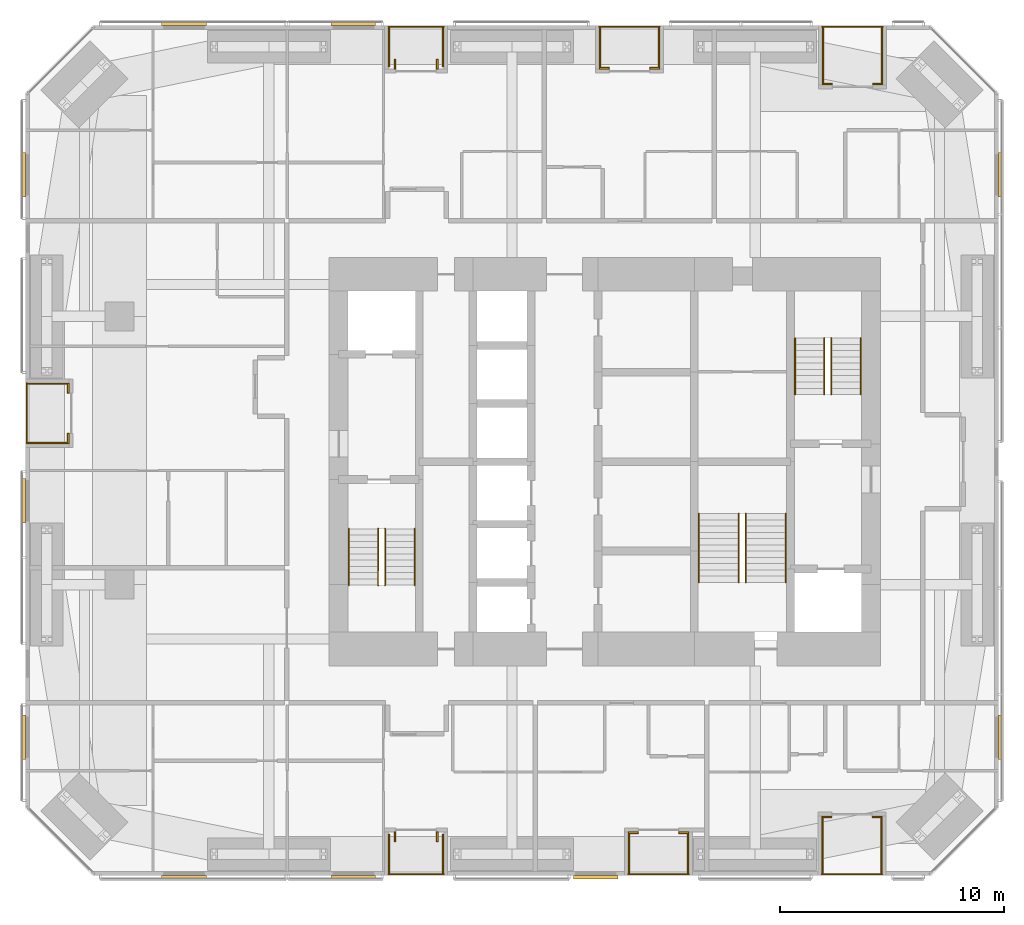
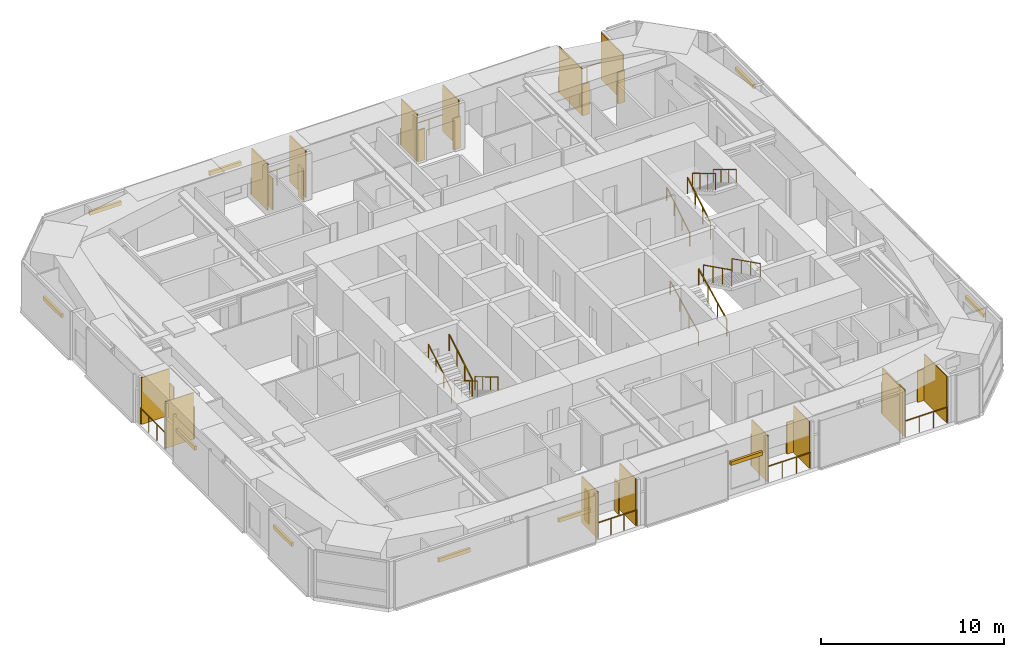
# One storey, part 25 of 25: 38 shading devices, 19 railings.
"""IFC4 building model written with IfcOpenShell, lengths in metres."""

import ifcopenshell
import ifcopenshell.guid

model = None  # the IFC model being written
_history = None  # IfcOwnerHistory: only IFC2X3 demands one
_inside = {}  # id of a spatial element -> (the spatial element, [elements in it])
_under = {}  # id of a project, library or spatial element -> (it, [spatial elements below it])
_declared = {}  # id of a project -> (the project, [libraries it declares])
_typed = {}  # id of a type object -> (the type object, [elements of that type])
_made_of = {}  # id of a material, layer set ... -> (it, [elements and type objects made of it])


def new_model(schema):
    """Start an empty IFC model of exactly this schema.

    Asked for "IFC4X3", IfcOpenShell would pick the latest addendum, in which some entities
    have other attributes; the version numbers below select the first issue.
    IFC2X3 requires an IfcOwnerHistory on every rooted entity: one is made here for all.
    """
    global model, _history
    if schema == "IFC4X3":
        model = ifcopenshell.file(schema_version=(4, 3, 0, 0))
    else:
        model = ifcopenshell.file(schema=schema)
    _inside.clear()
    _under.clear()
    _declared.clear()
    _typed.clear()
    _made_of.clear()
    _history = None
    if model.schema == "IFC2X3":
        org = make("IfcOrganization", Name="unknown")
        user = make(
            "IfcPersonAndOrganization",
            ThePerson=make("IfcPerson", FamilyName="unknown"),
            TheOrganization=org,
        )
        app = make(
            "IfcApplication",
            ApplicationDeveloper=org,
            Version="unknown",
            ApplicationFullName="unknown",
            ApplicationIdentifier="unknown",
        )
        _history = make(
            "IfcOwnerHistory",
            OwningUser=user,
            OwningApplication=app,
            ChangeAction="ADDED",
            CreationDate=0,
        )
    return model


def make(cls, **values):
    """One entity of the class cls with the attributes given. An attribute that is None is left unset."""
    return model.create_entity(
        cls, **{name: value for name, value in values.items() if value is not None}
    )


def rooted(cls, **values):
    """An entity with a GlobalId (a new one), such as an element, a storey or a relation."""
    return make(cls, GlobalId=ifcopenshell.guid.new(), OwnerHistory=_history, **values)


def si_unit(unit_type, name, prefix=None):
    """IfcSIUnit, for example si_unit("LENGTHUNIT", "METRE", prefix="MILLI")."""
    return make("IfcSIUnit", UnitType=unit_type, Prefix=prefix, Name=name)


def assignment(units):
    """IfcUnitAssignment: the units of a project."""
    return None if units is None else make("IfcUnitAssignment", Units=units)


def point(xyz):
    """IfcCartesianPoint."""
    return None if xyz is None else make("IfcCartesianPoint", Coordinates=xyz)


def direction(xyz):
    """IfcDirection."""
    return None if xyz is None else make("IfcDirection", DirectionRatios=xyz)


def frame(location, z_axis=None, x_axis=None):
    """IfcAxis2Placement3D, a coordinate frame: its origin and axes. An axis left out is left unset."""
    return make(
        "IfcAxis2Placement3D",
        Location=point(location),
        Axis=direction(z_axis),
        RefDirection=direction(x_axis),
    )


def frame_2d(location, x_axis=None):
    """IfcAxis2Placement2D, a coordinate frame in the plane: its origin and x axis."""
    return make(
        "IfcAxis2Placement2D", Location=point(location), RefDirection=direction(x_axis)
    )


def origin():
    """The frame at (0, 0, 0) with its axes left unset."""
    return frame((0.0, 0.0, 0.0))


def origin_2d():
    """The frame at (0, 0) in the plane with its x axis left unset."""
    return frame_2d((0.0, 0.0))


def place(relative_to, where):
    """IfcLocalPlacement: puts the frame where relative to a parent placement (None: the world)."""
    return make(
        "IfcLocalPlacement", PlacementRelTo=relative_to, RelativePlacement=where
    )


def context(
    kind, dimensions, precision=None, world=None, true_north=None, identifier=None
):
    """IfcGeometricRepresentationContext, for example the 3D "Model" context."""
    return make(
        "IfcGeometricRepresentationContext",
        ContextIdentifier=identifier,
        ContextType=kind,
        CoordinateSpaceDimension=dimensions,
        Precision=precision,
        WorldCoordinateSystem=world,
        TrueNorth=true_north,
    )


def subcontext(parent, identifier, kind, view, scale=None):
    """IfcGeometricRepresentationSubContext, for example "Body" below "Model"."""
    return make(
        "IfcGeometricRepresentationSubContext",
        ContextIdentifier=identifier,
        ContextType=kind,
        ParentContext=parent,
        TargetScale=scale,
        TargetView=view,
    )


def project(units=None, contexts=None):
    """IfcProject with its units and contexts."""
    return rooted(
        "IfcProject",
        Name="project",
        RepresentationContexts=contexts,
        UnitsInContext=assignment(units),
    )


def spatial(cls, under=None, at=None, **own):
    """A site, building, storey or space (cls), placed at a placement, below another one or the project."""
    s = rooted(cls, ObjectPlacement=at, **own)
    if under is not None:
        _under.setdefault(under.id(), (under, []))[1].append(s)
    return s


def profile(cls, at=None, kind="AREA", **sizes):
    """A parametric profile (cls). Its sizes go by their IFC names, for example OverallWidth=200.0."""
    return make(cls, ProfileType=kind, Position=at, **sizes)


def rectangle(**sizes):
    """IfcRectangleProfileDef."""
    return profile("IfcRectangleProfileDef", **sizes)


def circle(**sizes):
    """IfcCircleProfileDef."""
    return profile("IfcCircleProfileDef", **sizes)


def extrude(swept, where, along, depth):
    """IfcExtrudedAreaSolid: the profile swept, set in the frame where, extruded along a direction by depth."""
    return make(
        "IfcExtrudedAreaSolid",
        SweptArea=swept,
        Position=where,
        ExtrudedDirection=direction(along),
        Depth=depth,
    )


def shape(context_of_items, identifier, shape_type, items):
    """IfcShapeRepresentation: the items that make up one representation, for example the "Body"."""
    return make(
        "IfcShapeRepresentation",
        ContextOfItems=context_of_items,
        RepresentationIdentifier=identifier,
        RepresentationType=shape_type,
        Items=items,
    )


def material(Name=None, Category=None):
    """IfcMaterial."""
    return make("IfcMaterial", Name=Name, Category=Category)


def layer(
    of_material, thickness, ventilated=None, Name=None, Category=None, Priority=None
):
    """IfcMaterialLayer: one layer of a wall or slab, of a material (None: an air gap)."""
    return make(
        "IfcMaterialLayer",
        Material=of_material,
        LayerThickness=thickness,
        IsVentilated=ventilated,
        Name=Name,
        Category=Category,
        Priority=Priority,
    )


def layer_set(layers, Name=None):
    """IfcMaterialLayerSet."""
    return make("IfcMaterialLayerSet", MaterialLayers=layers, LayerSetName=Name)


def constituent(of_material, Name=None, Category=None, fraction=None):
    """IfcMaterialConstituent: one of the materials an element consists of."""
    return make(
        "IfcMaterialConstituent",
        Name=Name,
        Material=of_material,
        Fraction=fraction,
        Category=Category,
    )


def constituent_set(constituents=None, Name=None):
    """IfcMaterialConstituentSet."""
    return make(
        "IfcMaterialConstituentSet", Name=Name, MaterialConstituents=constituents
    )


def made_of(thing, what):
    """Note that an element or type object is made of a material, layer set ...; save() writes the relation."""
    if what is not None:
        _made_of.setdefault(what.id(), (what, []))[1].append(thing)
    return thing


def type_object(cls, material=None, **own):
    """A type object (cls), such as IfcWallType, which elements share."""
    return made_of(rooted(cls, **own), material)


def element(
    cls,
    number,
    at=None,
    inside=None,
    cuts=None,
    type_object=None,
    material=None,
    context=None,
    identifier="Body",
    shape_type=None,
    held_by="IfcProductDefinitionShape",
    body=None,
    shapes=None,
    **own,
):
    """One element of the class cls, such as IfcWall. Its Tag is "e" and its number.

    at: its placement. inside: the storey or other place that contains it. cuts: it is an
    opening in that element (IfcRelVoidsElement). A single representation is given by context,
    identifier, shape_type and body (its items); several are given by shapes. held_by: the class
    of the entity that holds the representations. save() writes the other relations.
    """
    e = rooted(cls, Tag="e%d" % number, ObjectPlacement=at, **own)
    if body is not None:
        shapes = [shape(context, identifier, shape_type, body)]
    if shapes is not None:
        e.Representation = make(held_by, Representations=shapes)
    if inside is not None:
        _inside.setdefault(inside.id(), (inside, []))[1].append(e)
    if cuts is not None:
        rooted(
            "IfcRelVoidsElement", RelatingBuildingElement=cuts, RelatedOpeningElement=e
        )
    if type_object is not None:
        _typed.setdefault(type_object.id(), (type_object, []))[1].append(e)
    return made_of(e, material)


def aggregate(whole, parts):
    """IfcRelAggregates: a whole, such as a stair, and the parts it consists of."""
    return rooted("IfcRelAggregates", RelatingObject=whole, RelatedObjects=parts)


def save(model, path):
    """Write the relations noted so far, then the file.

    IfcRelAggregates (storeys below a building ...), IfcRelContainedInSpatialStructure (elements
    in a storey), IfcRelDefinesByType, IfcRelAssociatesMaterial and IfcRelDeclares: one each for
    every whole, place, type object, material and project.
    """
    for whole, parts in _under.values():
        aggregate(whole, parts)
    for where, things in _inside.values():
        rooted(
            "IfcRelContainedInSpatialStructure",
            RelatedElements=things,
            RelatingStructure=where,
        )
    for kind, things in _typed.values():
        rooted("IfcRelDefinesByType", RelatedObjects=things, RelatingType=kind)
    for what, things in _made_of.values():
        rooted("IfcRelAssociatesMaterial", RelatedObjects=things, RelatingMaterial=what)
    for by, libraries in _declared.values():
        rooted("IfcRelDeclares", RelatingContext=by, RelatedDefinitions=libraries)
    model.write(path)


model = new_model("IFC4")

# Units and contexts
model_context = context("Model", 3, precision=1e-05, world=origin(), true_north=direction((0.0, 1.0)))
body_context = subcontext(model_context, "Body", "Model", "MODEL_VIEW")
ifc_project = project(units=[si_unit("LENGTHUNIT", "METRE"), si_unit("AREAUNIT", "SQUARE_METRE"), si_unit("VOLUMEUNIT", "CUBIC_METRE"), si_unit("PLANEANGLEUNIT", "RADIAN"), si_unit("MASSUNIT", "GRAM", prefix="KILO")], contexts=[model_context])

# Site, building, storey
site_placement = place(None, origin())
site = spatial("IfcSite", under=ifc_project, at=site_placement, CompositionType="ELEMENT")
building_placement = place(site_placement, origin())
building = spatial("IfcBuilding", under=site, at=building_placement, Name="Jalousie Tower", CompositionType="ELEMENT")
storey_placement = place(building_placement, frame((0.0, 0.0, 98.14990234375)))
storey = spatial("IfcBuildingStorey", under=building, at=storey_placement, Name="L26", CompositionType="ELEMENT", Elevation=98.14990234375)

# Shading devices
ifc_material_1 = material(Name="Aluminium impact-rated louvred storm shutter", Category="aluminium")
shading_device_type_1 = type_object("IfcShadingDeviceType", Name="BI-FOLD STORM SHUTTER 900x2100", PredefinedType="SHUTTER", material=ifc_material_1)
for number, where, z_axis, x_axis, name in (
    (1, (22.5224609375, 1.72509765625, 0.0), (0.0, 0.0, 1.0), (0.0, 1.0, 0.0), "Loggia storm shutter L26"),
    (2, (24.402587890625, 1.72509765625, 0.0), (0.0, 0.0, 1.0), (0.0, 1.0, 0.0), "Loggia storm shutter L26"),
    (3, (33.175048828125, 1.909912109375, 0.0), (0.0, 0.0, 1.0), (1.0, 0.0, 0.0), "Loggia storm shutter L26"),
    (4, (35.425048828125, 1.909912109375, 0.0), (0.0, 0.0, 1.0), (1.0, 0.0, 0.0), "Loggia storm shutter L26"),
    (5, (41.824951171875, 2.610107421875, 0.0), (0.0, 0.0, 1.0), (1.0, 0.0, 0.0), "Loggia storm shutter L26"),
    (6, (44.074951171875, 2.610107421875, 0.0), (0.0, 0.0, 1.0), (1.0, 0.0, 0.0), "Loggia storm shutter L26"),
    (7, (44.0986328125, 35.389892578125, 0.0), (0.0, 0.0, 1.0), (-1.0, 0.0, 0.0), "Loggia storm shutter L26"),
    (8, (41.8486328125, 35.389892578125, 0.0), (0.0, 0.0, 1.0), (-1.0, 0.0, 0.0), "Loggia storm shutter L26"),
    (9, (34.125, 36.090087890625, 0.0), (0.0, 0.0, 1.0), (-1.0, 0.0, 0.0), "Loggia storm shutter L26"),
    (10, (31.875, 36.090087890625, 0.0), (0.0, 0.0, 1.0), (-1.0, 0.0, 0.0), "Loggia storm shutter L26"),
    (11, (24.402587890625, 36.27490234375, 0.0), (0.0, 0.0, 1.0), (0.0, -1.0, 0.0), "Loggia storm shutter L26"),
    (12, (22.5224609375, 36.27490234375, 0.0), (0.0, 0.0, 1.0), (0.0, -1.0, 0.0), "Loggia storm shutter L26"),
    (13, (7.909912109375, 21.78759765625, 0.0), (0.0, 0.0, 1.0), (0.0, -1.0, 0.0), "Loggia storm shutter L26"),
    (14, (7.909912109375, 19.53759765625, 0.0), (0.0, 0.0, 1.0), (0.0, -1.0, 0.0), "Loggia storm shutter L26"),
):
    element("IfcShadingDevice", number, at=place(storey_placement, frame(where, z_axis=z_axis, x_axis=x_axis)), inside=storey, type_object=shading_device_type_1, Name=name, PredefinedType="SHUTTER", context=body_context, shape_type="SweptSolid", body=[
        extrude(rectangle(XDim=0.449951171875, YDim=0.080078125, at=origin_2d()), origin(), (0.0, 0.0, 1.0), 2.10009765625),
    ])

# Railings
ifc_material_2 = material(Name="Powder-coated aluminium fretwork", Category="aluminium")
railing_type_1 = type_object("IfcRailingType", Name="FRETWORK BALUSTRADE 1100", PredefinedType="BALUSTRADE", material=ifc_material_2)
railing_1_placement = place(storey_placement, frame((22.22509765625, 0.050048828125, 0.0)))
element("IfcRailing", 15, at=railing_1_placement, inside=storey, type_object=railing_type_1, Name="Loggia fretwork balustrade L26", PredefinedType="BALUSTRADE", context=body_context, shape_type="SweptSolid", body=[
    extrude(rectangle(XDim=0.048095703125, YDim=0.048095703125, at=origin_2d()), frame((0.0, 0.0, 1.076171875), z_axis=(1.0, 0.0, 0.0), x_axis=(0.0, 1.0, 0.0)), (0.0, 0.0, 1.0), 2.474853515625),
    extrude(circle(Radius=0.02099609375, at=origin_2d()), origin(), (0.0, 0.0, 1.0), 1.052001953125),
    extrude(circle(Radius=0.02099609375, at=origin_2d()), frame((0.824951171875, 0.0, 0.0)), (0.0, 0.0, 1.0), 1.052001953125),
    extrude(circle(Radius=0.02099609375, at=origin_2d()), frame((1.64990234375, 0.0, 0.0)), (0.0, 0.0, 1.0), 1.052001953125),
    extrude(circle(Radius=0.02099609375, at=origin_2d()), frame((2.474853515625, 0.0, 0.0)), (0.0, 0.0, 1.0), 1.052001953125),
])
for number, where, name in (
    (16, (32.949951171875, 0.050048828125, 0.0), "Loggia fretwork balustrade L26"),
    (17, (41.60009765625, 0.050048828125, 0.0), "Loggia fretwork balustrade L26"),
):
    element("IfcRailing", number, at=place(storey_placement, frame(where)), inside=storey, type_object=railing_type_1, Name=name, PredefinedType="BALUSTRADE", context=body_context, shape_type="SweptSolid", body=[
        extrude(rectangle(XDim=0.048095703125, YDim=0.048095703125, at=origin_2d()), frame((0.0, 0.0, 1.076171875), z_axis=(1.0, 0.0, 0.0), x_axis=(0.0, 1.0, 0.0)), (0.0, 0.0, 1.0), 2.699951171875),
        extrude(circle(Radius=0.02099609375, at=origin_2d()), origin(), (0.0, 0.0, 1.0), 1.052001953125),
        extrude(circle(Radius=0.02099609375, at=origin_2d()), frame((0.89990234375, 0.0, 0.0)), (0.0, 0.0, 1.0), 1.052001953125),
        extrude(circle(Radius=0.02099609375, at=origin_2d()), frame((1.800048828125, 0.0, 0.0)), (0.0, 0.0, 1.0), 1.052001953125),
        extrude(circle(Radius=0.02099609375, at=origin_2d()), frame((2.699951171875, 0.0, 0.0)), (0.0, 0.0, 1.0), 1.052001953125),
    ])
railing_2_placement = place(storey_placement, frame((44.32373046875, 37.949951171875, 0.0)))
element("IfcRailing", 18, at=railing_2_placement, inside=storey, type_object=railing_type_1, Name="Loggia fretwork balustrade L26", PredefinedType="BALUSTRADE", context=body_context, shape_type="SweptSolid", body=[
    extrude(rectangle(XDim=0.048095703125, YDim=0.048095703125, at=origin_2d()), frame((0.0, 0.0, 1.076171875), z_axis=(-1.0, 0.0, 0.0), x_axis=(0.0, -1.0, 0.0)), (0.0, 0.0, 1.0), 2.699951171875),
    extrude(circle(Radius=0.02099609375, at=origin_2d()), origin(), (0.0, 0.0, 1.0), 1.052001953125),
    extrude(circle(Radius=0.02099609375, at=origin_2d()), frame((-0.89990234375, 0.0, 0.0)), (0.0, 0.0, 1.0), 1.052001953125),
    extrude(circle(Radius=0.02099609375, at=origin_2d()), frame((-1.800048828125, 0.0, 0.0)), (0.0, 0.0, 1.0), 1.052001953125),
    extrude(circle(Radius=0.02099609375, at=origin_2d()), frame((-2.699951171875, 0.0, 0.0)), (0.0, 0.0, 1.0), 1.052001953125),
])
railing_3_placement = place(storey_placement, frame((34.35009765625, 37.949951171875, 0.0)))
element("IfcRailing", 19, at=railing_3_placement, inside=storey, type_object=railing_type_1, Name="Loggia fretwork balustrade L26", PredefinedType="BALUSTRADE", context=body_context, shape_type="SweptSolid", body=[
    extrude(rectangle(XDim=0.048095703125, YDim=0.048095703125, at=origin_2d()), frame((0.0, 0.0, 1.076171875), z_axis=(-1.0, 0.0, 0.0), x_axis=(0.0, -1.0, 0.0)), (0.0, 0.0, 1.0), 2.7001953125),
    extrude(circle(Radius=0.02099609375, at=origin_2d()), origin(), (0.0, 0.0, 1.0), 1.052001953125),
    extrude(circle(Radius=0.02099609375, at=origin_2d()), frame((-0.900146484375, 0.0, 0.0)), (0.0, 0.0, 1.0), 1.052001953125),
    extrude(circle(Radius=0.02099609375, at=origin_2d()), frame((-1.800048828125, 0.0, 0.0)), (0.0, 0.0, 1.0), 1.052001953125),
    extrude(circle(Radius=0.02099609375, at=origin_2d()), frame((-2.7001953125, 0.0, 0.0)), (0.0, 0.0, 1.0), 1.052001953125),
])
railing_4_placement = place(storey_placement, frame((24.699951171875, 37.949951171875, 0.0)))
element("IfcRailing", 20, at=railing_4_placement, inside=storey, type_object=railing_type_1, Name="Loggia fretwork balustrade L26", PredefinedType="BALUSTRADE", context=body_context, shape_type="SweptSolid", body=[
    extrude(rectangle(XDim=0.048095703125, YDim=0.048095703125, at=origin_2d()), frame((0.0, 0.0, 1.076171875), z_axis=(-1.0, 0.0, 0.0), x_axis=(0.0, -1.0, 0.0)), (0.0, 0.0, 1.0), 2.474853515625),
    extrude(circle(Radius=0.02099609375, at=origin_2d()), origin(), (0.0, 0.0, 1.0), 1.052001953125),
    extrude(circle(Radius=0.02099609375, at=origin_2d()), frame((-0.824951171875, 0.0, 0.0)), (0.0, 0.0, 1.0), 1.052001953125),
    extrude(circle(Radius=0.02099609375, at=origin_2d()), frame((-1.64990234375, 0.0, 0.0)), (0.0, 0.0, 1.0), 1.052001953125),
    extrude(circle(Radius=0.02099609375, at=origin_2d()), frame((-2.474853515625, 0.0, 0.0)), (0.0, 0.0, 1.0), 1.052001953125),
])
railing_5_placement = place(storey_placement, frame((6.050048828125, 22.012451171875, 0.0)))
element("IfcRailing", 21, at=railing_5_placement, inside=storey, type_object=railing_type_1, Name="Loggia fretwork balustrade L26", PredefinedType="BALUSTRADE", context=body_context, shape_type="SweptSolid", body=[
    extrude(rectangle(XDim=0.048095703125, YDim=0.048095703125, at=origin_2d()), frame((0.0, 0.0, 1.076171875), z_axis=(0.0, -1.0, 0.0), x_axis=(1.0, 0.0, 0.0)), (0.0, 0.0, 1.0), 2.699951171875),
    extrude(circle(Radius=0.02099609375, at=origin_2d()), origin(), (0.0, 0.0, 1.0), 1.052001953125),
    extrude(circle(Radius=0.02099609375, at=origin_2d()), frame((0.0, -0.89990234375, 0.0)), (0.0, 0.0, 1.0), 1.052001953125),
    extrude(circle(Radius=0.02099609375, at=origin_2d()), frame((0.0, -1.800048828125, 0.0)), (0.0, 0.0, 1.0), 1.052001953125),
    extrude(circle(Radius=0.02099609375, at=origin_2d()), frame((0.0, -2.699951171875, 0.0)), (0.0, 0.0, 1.0), 1.052001953125),
])

# Shading devices
ifc_material_3 = material(Name="Powder-coated aluminium louvres", Category="aluminium")
ifc_layer = layer(ifc_material_3, 0.06005859375)
ifc_layer_set = layer_set([ifc_layer], Name="Powder-coated aluminium louvres")
shading_device_type_2 = type_object("IfcShadingDeviceType", Name="JALOUSIE LOUVRE SCREEN", PredefinedType="JALOUSIE", material=ifc_layer_set)
for number, where, z_axis, x_axis, name in (
    (22, (22.2548828125, 0.97509765625, 0.0), (0.0, 0.0, 1.0), (1.0, 0.0, 0.0), "Loggia jalousie louvre screen L26"),
    (23, (24.669921875, 0.97509765625, 0.0), (0.0, 0.0, 1.0), (1.0, 0.0, 0.0), "Loggia jalousie louvre screen L26"),
    (24, (32.97998046875, 0.97509765625, 0.0), (0.0, 0.0, 1.0), (1.0, 0.0, 0.0), "Loggia jalousie louvre screen L26"),
    (25, (35.6201171875, 0.97509765625, 0.0), (0.0, 0.0, 1.0), (1.0, 0.0, 0.0), "Loggia jalousie louvre screen L26"),
):
    element("IfcShadingDevice", number, at=place(storey_placement, frame(where, z_axis=z_axis, x_axis=x_axis)), inside=storey, type_object=shading_device_type_2, Name=name, PredefinedType="JALOUSIE", context=body_context, shape_type="SweptSolid", body=[
        extrude(rectangle(XDim=0.06005859375, YDim=1.75, at=origin_2d()), origin(), (0.0, 0.0, 1.0), 3.110107421875),
    ])
for number, where, z_axis, x_axis, name in (
    (26, (41.6298828125, 1.324951171875, 0.0), (0.0, 0.0, 1.0), (1.0, 0.0, 0.0), "Loggia jalousie louvre screen L26"),
    (27, (44.27001953125, 1.324951171875, 0.0), (0.0, 0.0, 1.0), (1.0, 0.0, 0.0), "Loggia jalousie louvre screen L26"),
    (28, (44.293701171875, 36.675048828125, 0.0), (0.0, 0.0, 1.0), (-1.0, 0.0, 0.0), "Loggia jalousie louvre screen L26"),
    (29, (41.65380859375, 36.675048828125, 0.0), (0.0, 0.0, 1.0), (-1.0, 0.0, 0.0), "Loggia jalousie louvre screen L26"),
):
    element("IfcShadingDevice", number, at=place(storey_placement, frame(where, z_axis=z_axis, x_axis=x_axis)), inside=storey, type_object=shading_device_type_2, Name=name, PredefinedType="JALOUSIE", context=body_context, shape_type="SweptSolid", body=[
        extrude(rectangle(XDim=0.06005859375, YDim=2.449951171875, at=origin_2d()), origin(), (0.0, 0.0, 1.0), 3.110107421875),
    ])
for number, where, z_axis, x_axis, name in (
    (30, (34.320068359375, 37.02490234375, 0.0), (0.0, 0.0, 1.0), (-1.0, 0.0, 0.0), "Loggia jalousie louvre screen L26"),
    (31, (31.679931640625, 37.02490234375, 0.0), (0.0, 0.0, 1.0), (-1.0, 0.0, 0.0), "Loggia jalousie louvre screen L26"),
    (32, (24.669921875, 37.02490234375, 0.0), (0.0, 0.0, 1.0), (-1.0, 0.0, 0.0), "Loggia jalousie louvre screen L26"),
    (33, (22.2548828125, 37.02490234375, 0.0), (0.0, 0.0, 1.0), (-1.0, 0.0, 0.0), "Loggia jalousie louvre screen L26"),
    (34, (6.97509765625, 21.982421875, 0.0), (0.0, 0.0, 1.0), (0.0, -1.0, 0.0), "Loggia jalousie louvre screen L26"),
    (35, (6.97509765625, 19.342529296875, 0.0), (0.0, 0.0, 1.0), (0.0, -1.0, 0.0), "Loggia jalousie louvre screen L26"),
):
    element("IfcShadingDevice", number, at=place(storey_placement, frame(where, z_axis=z_axis, x_axis=x_axis)), inside=storey, type_object=shading_device_type_2, Name=name, PredefinedType="JALOUSIE", context=body_context, shape_type="SweptSolid", body=[
        extrude(rectangle(XDim=0.06005859375, YDim=1.75, at=origin_2d()), origin(), (0.0, 0.0, 1.0), 3.110107421875),
    ])

# Railings
ifc_material_4 = material(Name="Steel ASTM A500 Grade C", Category="steel")
ifc_constituent_1 = constituent(ifc_material_4, Name="Body")
ifc_material_5 = material(Name="Hot-dip galvanised zinc coating")
ifc_constituent_2 = constituent(ifc_material_5, Name="Finish")
ifc_constituent_set_1 = constituent_set(constituents=[ifc_constituent_1, ifc_constituent_2])
railing_type_2 = type_object("IfcRailingType", Name="STAIR GUARD 1100", PredefinedType="GUARDRAIL", material=ifc_constituent_set_1)
railing_6_placement = place(storey_placement, frame((22.080078125, 15.49755859375, 0.16748046875)))
element("IfcRailing", 36, at=railing_6_placement, inside=storey, type_object=railing_type_2, Name="Exit stair A guard L26 flight 1", PredefinedType="GUARDRAIL", context=body_context, shape_type="SweptSolid", body=[
    extrude(rectangle(XDim=0.048095703125, YDim=0.048095703125, at=origin_2d()), frame((0.0, 0.0, 1.076171875), z_axis=(0.0, -0.858159760407, 0.513382728203), x_axis=(1.0, 0.0, 0.0)), (0.0, 0.0, 1.0), 2.9365234375),
    extrude(circle(Radius=0.02099609375, at=origin_2d()), origin(), (0.0, 0.0, 1.0), 1.052001953125),
    extrude(circle(Radius=0.02099609375, at=origin_2d()), frame((0.0, -0.840087890625, 0.50244140625)), (0.0, 0.0, 1.0), 1.052001953125),
    extrude(circle(Radius=0.02099609375, at=origin_2d()), frame((0.0, -1.679931640625, 1.005126953125)), (0.0, 0.0, 1.0), 1.052001953125),
    extrude(circle(Radius=0.02099609375, at=origin_2d()), frame((0.0, -2.52001953125, 1.507568359375)), (0.0, 0.0, 1.0), 1.052001953125),
])
for number, where, name in (
    (37, (21.77001953125, 12.9775390625, 1.842529296875), "Exit stair A guard L26 flight 2"),
    (38, (41.719970703125, 21.50244140625, 0.16748046875), "Exit stair B guard L26 flight 1"),
):
    element("IfcRailing", number, at=place(storey_placement, frame(where)), inside=storey, type_object=railing_type_2, Name=name, PredefinedType="GUARDRAIL", context=body_context, shape_type="SweptSolid", body=[
        extrude(rectangle(XDim=0.048095703125, YDim=0.048095703125, at=origin_2d()), frame((0.0, 0.0, 1.076171875), z_axis=(0.0, 0.858159760407, 0.513382728203), x_axis=(-1.0, 0.0, 0.0)), (0.0, 0.0, 1.0), 2.9365234375),
        extrude(circle(Radius=0.02099609375, at=origin_2d()), origin(), (0.0, 0.0, 1.0), 1.052001953125),
        extrude(circle(Radius=0.02099609375, at=origin_2d()), frame((0.0, 0.840087890625, 0.50244140625)), (0.0, 0.0, 1.0), 1.052001953125),
        extrude(circle(Radius=0.02099609375, at=origin_2d()), frame((0.0, 1.679931640625, 1.005126953125)), (0.0, 0.0, 1.0), 1.052001953125),
        extrude(circle(Radius=0.02099609375, at=origin_2d()), frame((0.0, 2.52001953125, 1.507568359375)), (0.0, 0.0, 1.0), 1.052001953125),
    ])
railing_7_placement = place(storey_placement, frame((42.030029296875, 24.0224609375, 1.842529296875)))
element("IfcRailing", 39, at=railing_7_placement, inside=storey, type_object=railing_type_2, Name="Exit stair B guard L26 flight 2", PredefinedType="GUARDRAIL", context=body_context, shape_type="SweptSolid", body=[
    extrude(rectangle(XDim=0.048095703125, YDim=0.048095703125, at=origin_2d()), frame((0.0, 0.0, 1.076171875), z_axis=(0.0, -0.858159760407, 0.513382728203), x_axis=(1.0, 0.0, 0.0)), (0.0, 0.0, 1.0), 2.9365234375),
    extrude(circle(Radius=0.02099609375, at=origin_2d()), origin(), (0.0, 0.0, 1.0), 1.052001953125),
    extrude(circle(Radius=0.02099609375, at=origin_2d()), frame((0.0, -0.840087890625, 0.50244140625)), (0.0, 0.0, 1.0), 1.052001953125),
    extrude(circle(Radius=0.02099609375, at=origin_2d()), frame((0.0, -1.679931640625, 1.005126953125)), (0.0, 0.0, 1.0), 1.052001953125),
    extrude(circle(Radius=0.02099609375, at=origin_2d()), frame((0.0, -2.52001953125, 1.507568359375)), (0.0, 0.0, 1.0), 1.052001953125),
])
railing_8_placement = place(storey_placement, frame((37.89501953125, 13.097412109375, 0.1396484375)))
element("IfcRailing", 40, at=railing_8_placement, inside=storey, type_object=railing_type_2, Name="Exit stair C guard L26 flight 1", PredefinedType="GUARDRAIL", context=body_context, shape_type="SweptSolid", body=[
    extrude(rectangle(XDim=0.048095703125, YDim=0.048095703125, at=origin_2d()), frame((0.0, 0.0, 1.076171875), z_axis=(0.0, 0.894965676997, 0.446134998624), x_axis=(-1.0, 0.0, 0.0)), (0.0, 0.0, 1.0), 3.441650390625),
    extrude(circle(Radius=0.02099609375, at=origin_2d()), origin(), (0.0, 0.0, 1.0), 1.052001953125),
    extrude(circle(Radius=0.02099609375, at=origin_2d()), frame((0.0, 1.026611328125, 0.51171875)), (0.0, 0.0, 1.0), 1.052001953125),
    extrude(circle(Radius=0.02099609375, at=origin_2d()), frame((0.0, 2.053466796875, 1.023681640625)), (0.0, 0.0, 1.0), 1.052001953125),
    extrude(circle(Radius=0.02099609375, at=origin_2d()), frame((0.0, 3.080078125, 1.535400390625)), (0.0, 0.0, 1.0), 1.052001953125),
])
railing_9_placement = place(storey_placement, frame((38.205078125, 16.177490234375, 1.814697265625)))
element("IfcRailing", 41, at=railing_9_placement, inside=storey, type_object=railing_type_2, Name="Exit stair C guard L26 flight 2", PredefinedType="GUARDRAIL", context=body_context, shape_type="SweptSolid", body=[
    extrude(rectangle(XDim=0.048095703125, YDim=0.048095703125, at=origin_2d()), frame((0.0, 0.0, 1.076171875), z_axis=(0.0, -0.894965676997, 0.446134998624), x_axis=(1.0, 0.0, 0.0)), (0.0, 0.0, 1.0), 3.441650390625),
    extrude(circle(Radius=0.02099609375, at=origin_2d()), origin(), (0.0, 0.0, 1.0), 1.052001953125),
    extrude(circle(Radius=0.02099609375, at=origin_2d()), frame((0.0, -1.026611328125, 0.51171875)), (0.0, 0.0, 1.0), 1.052001953125),
    extrude(circle(Radius=0.02099609375, at=origin_2d()), frame((0.0, -2.053466796875, 1.023681640625)), (0.0, 0.0, 1.0), 1.052001953125),
    extrude(circle(Radius=0.02099609375, at=origin_2d()), frame((0.0, -3.080078125, 1.535400390625)), (0.0, 0.0, 1.0), 1.052001953125),
])
ifc_material_6 = material(Name="Steel ASTM A500 Grade C", Category="steel")
ifc_constituent_3 = constituent(ifc_material_6, Name="Body")
ifc_material_7 = material(Name="Hot-dip galvanised zinc coating")
ifc_constituent_4 = constituent(ifc_material_7, Name="Finish")
ifc_constituent_set_2 = constituent_set(constituents=[ifc_constituent_3, ifc_constituent_4])
railing_type_3 = type_object("IfcRailingType", Name="STAIR HANDRAIL 900", PredefinedType="HANDRAIL", material=ifc_constituent_set_2)
railing_10_placement = place(storey_placement, frame((23.39501953125, 15.49755859375, 0.16748046875)))
element("IfcRailing", 42, at=railing_10_placement, inside=storey, type_object=railing_type_3, Name="Exit stair A handrail L26 flight 1", PredefinedType="HANDRAIL", context=body_context, shape_type="SweptSolid", body=[
    extrude(circle(Radius=0.02392578125, at=origin_2d()), frame((0.0, 0.0, 0.8759765625), z_axis=(0.0, -0.858159760407, 0.513382728203), x_axis=(1.0, 0.0, 0.0)), (0.0, 0.0, 1.0), 2.9365234375),
    extrude(circle(Radius=0.02099609375, at=origin_2d()), origin(), (0.0, 0.0, 1.0), 0.851806640625),
    extrude(circle(Radius=0.02099609375, at=origin_2d()), frame((0.0, -0.840087890625, 0.50244140625)), (0.0, 0.0, 1.0), 0.851806640625),
    extrude(circle(Radius=0.02099609375, at=origin_2d()), frame((0.0, -1.679931640625, 1.005126953125)), (0.0, 0.0, 1.0), 0.851806640625),
    extrude(circle(Radius=0.02099609375, at=origin_2d()), frame((0.0, -2.52001953125, 1.507568359375)), (0.0, 0.0, 1.0), 0.851806640625),
])
for number, where, name in (
    (43, (20.455078125, 12.9775390625, 1.842529296875), "Exit stair A handrail L26 flight 2"),
    (44, (40.405029296875, 21.50244140625, 0.16748046875), "Exit stair B handrail L26 flight 1"),
):
    element("IfcRailing", number, at=place(storey_placement, frame(where)), inside=storey, type_object=railing_type_3, Name=name, PredefinedType="HANDRAIL", context=body_context, shape_type="SweptSolid", body=[
        extrude(circle(Radius=0.02392578125, at=origin_2d()), frame((0.0, 0.0, 0.8759765625), z_axis=(0.0, 0.858159760407, 0.513382728203), x_axis=(-1.0, 0.0, 0.0)), (0.0, 0.0, 1.0), 2.9365234375),
        extrude(circle(Radius=0.02099609375, at=origin_2d()), origin(), (0.0, 0.0, 1.0), 0.851806640625),
        extrude(circle(Radius=0.02099609375, at=origin_2d()), frame((0.0, 0.840087890625, 0.50244140625)), (0.0, 0.0, 1.0), 0.851806640625),
        extrude(circle(Radius=0.02099609375, at=origin_2d()), frame((0.0, 1.679931640625, 1.005126953125)), (0.0, 0.0, 1.0), 0.851806640625),
        extrude(circle(Radius=0.02099609375, at=origin_2d()), frame((0.0, 2.52001953125, 1.507568359375)), (0.0, 0.0, 1.0), 0.851806640625),
    ])
railing_11_placement = place(storey_placement, frame((43.344970703125, 24.0224609375, 1.842529296875)))
element("IfcRailing", 45, at=railing_11_placement, inside=storey, type_object=railing_type_3, Name="Exit stair B handrail L26 flight 2", PredefinedType="HANDRAIL", context=body_context, shape_type="SweptSolid", body=[
    extrude(circle(Radius=0.02392578125, at=origin_2d()), frame((0.0, 0.0, 0.8759765625), z_axis=(0.0, -0.858159760407, 0.513382728203), x_axis=(1.0, 0.0, 0.0)), (0.0, 0.0, 1.0), 2.9365234375),
    extrude(circle(Radius=0.02099609375, at=origin_2d()), origin(), (0.0, 0.0, 1.0), 0.851806640625),
    extrude(circle(Radius=0.02099609375, at=origin_2d()), frame((0.0, -0.840087890625, 0.50244140625)), (0.0, 0.0, 1.0), 0.851806640625),
    extrude(circle(Radius=0.02099609375, at=origin_2d()), frame((0.0, -1.679931640625, 1.005126953125)), (0.0, 0.0, 1.0), 0.851806640625),
    extrude(circle(Radius=0.02099609375, at=origin_2d()), frame((0.0, -2.52001953125, 1.507568359375)), (0.0, 0.0, 1.0), 0.851806640625),
])
railing_12_placement = place(storey_placement, frame((36.10498046875, 13.097412109375, 0.1396484375)))
element("IfcRailing", 46, at=railing_12_placement, inside=storey, type_object=railing_type_3, Name="Exit stair C handrail L26 flight 1", PredefinedType="HANDRAIL", context=body_context, shape_type="SweptSolid", body=[
    extrude(circle(Radius=0.02392578125, at=origin_2d()), frame((0.0, 0.0, 0.8759765625), z_axis=(0.0, 0.894965676997, 0.446134998624), x_axis=(-1.0, 0.0, 0.0)), (0.0, 0.0, 1.0), 3.441650390625),
    extrude(circle(Radius=0.02099609375, at=origin_2d()), origin(), (0.0, 0.0, 1.0), 0.851806640625),
    extrude(circle(Radius=0.02099609375, at=origin_2d()), frame((0.0, 1.026611328125, 0.51171875)), (0.0, 0.0, 1.0), 0.851806640625),
    extrude(circle(Radius=0.02099609375, at=origin_2d()), frame((0.0, 2.053466796875, 1.023681640625)), (0.0, 0.0, 1.0), 0.851806640625),
    extrude(circle(Radius=0.02099609375, at=origin_2d()), frame((0.0, 3.080078125, 1.535400390625)), (0.0, 0.0, 1.0), 0.851806640625),
])
railing_13_placement = place(storey_placement, frame((39.9951171875, 16.177490234375, 1.814697265625)))
element("IfcRailing", 47, at=railing_13_placement, inside=storey, type_object=railing_type_3, Name="Exit stair C handrail L26 flight 2", PredefinedType="HANDRAIL", context=body_context, shape_type="SweptSolid", body=[
    extrude(circle(Radius=0.02392578125, at=origin_2d()), frame((0.0, 0.0, 0.8759765625), z_axis=(0.0, -0.894965676997, 0.446134998624), x_axis=(1.0, 0.0, 0.0)), (0.0, 0.0, 1.0), 3.441650390625),
    extrude(circle(Radius=0.02099609375, at=origin_2d()), origin(), (0.0, 0.0, 1.0), 0.851806640625),
    extrude(circle(Radius=0.02099609375, at=origin_2d()), frame((0.0, -1.026611328125, 0.51171875)), (0.0, 0.0, 1.0), 0.851806640625),
    extrude(circle(Radius=0.02099609375, at=origin_2d()), frame((0.0, -2.053466796875, 1.023681640625)), (0.0, 0.0, 1.0), 0.851806640625),
    extrude(circle(Radius=0.02099609375, at=origin_2d()), frame((0.0, -3.080078125, 1.535400390625)), (0.0, 0.0, 1.0), 0.851806640625),
])

# Shading devices
ifc_material_8 = material(Name="Aluminium roller storm shutter", Category="aluminium")
shading_device_type_3 = type_object("IfcShadingDeviceType", Name="STORM SHUTTER HOUSING", PredefinedType="SHUTTER", material=ifc_material_8)
for number, where, z_axis, x_axis, name in (
    (48, (13.0849609375, -0.074951171875, 2.10009765625), (0.0, 0.0, 1.0), (1.0, 0.0, 0.0), "Storm shutter L26"),
    (49, (20.657470703125, -0.074951171875, 2.10009765625), (0.0, 0.0, 1.0), (1.0, 0.0, 0.0), "Storm shutter L26"),
    (50, (31.5, -0.074951171875, 2.10009765625), (0.0, 0.0, 1.0), (1.0, 0.0, 0.0), "Storm shutter L26"),
    (51, (49.574951171875, 6.175537109375, 2.10009765625), (0.0, 0.0, 1.0), (0.0, 1.0, 0.0), "Storm shutter L26"),
    (52, (49.574951171875, 31.324462890625, 2.10009765625), (0.0, 0.0, 1.0), (0.0, 1.0, 0.0), "Storm shutter L26"),
    (53, (20.657470703125, 38.074951171875, 2.10009765625), (0.0, 0.0, 1.0), (-1.0, 0.0, 0.0), "Storm shutter L26"),
    (54, (13.0849609375, 38.074951171875, 2.10009765625), (0.0, 0.0, 1.0), (-1.0, 0.0, 0.0), "Storm shutter L26"),
    (55, (5.925048828125, 31.324462890625, 2.10009765625), (0.0, 0.0, 1.0), (0.0, -1.0, 0.0), "Storm shutter L26"),
    (56, (5.925048828125, 16.75634765625, 2.10009765625), (0.0, 0.0, 1.0), (0.0, -1.0, 0.0), "Storm shutter L26"),
    (57, (5.925048828125, 6.17529296875, 2.10009765625), (0.0, 0.0, 1.0), (0.0, -1.0, 0.0), "Storm shutter L26"),
):
    element("IfcShadingDevice", number, at=place(storey_placement, frame(where, z_axis=z_axis, x_axis=x_axis)), inside=storey, type_object=shading_device_type_3, Name=name, PredefinedType="SHUTTER", context=body_context, shape_type="SweptSolid", body=[
        extrude(rectangle(XDim=2.0, YDim=0.14990234375, at=origin_2d()), origin(), (0.0, 0.0, 1.0), 0.25),
    ])

save(model, "model.ifc")
